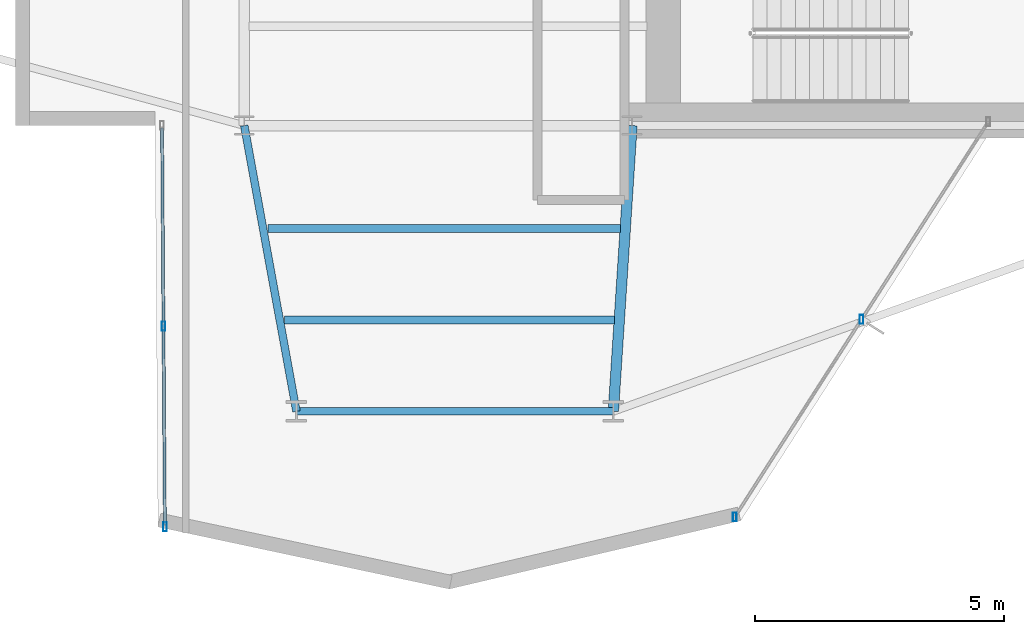
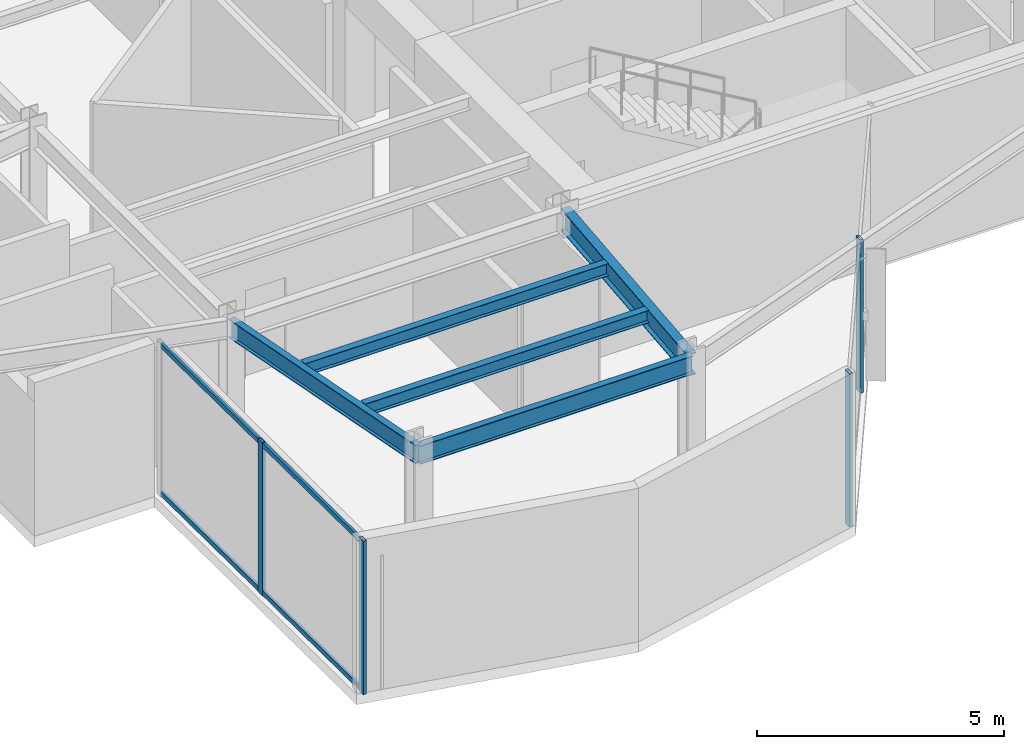
# One storey, part 6 of 23: 6 members, 5 beams, 2 elements without a shape of their own.
"""IFC4 building model written with IfcOpenShell, lengths in metres."""

from ifc_helpers import new_model, si_unit, direction, frame, origin, origin_2d, place, context, subcontext, project, spatial, hollow_rectangle, i_section, extrude, material, layer, layer_set, material_profile, profile_set, type_object, element, aggregate, save


model = new_model("IFC4")

# Units and contexts
model_context = context("Model", 3, precision=1e-05, world=origin(), true_north=direction((0.0, 1.0)))
body_context = subcontext(model_context, "Body", "Model", "MODEL_VIEW")
ifc_project = project(units=[si_unit("LENGTHUNIT", "METRE"), si_unit("AREAUNIT", "SQUARE_METRE"), si_unit("VOLUMEUNIT", "CUBIC_METRE"), si_unit("PLANEANGLEUNIT", "RADIAN"), si_unit("MASSUNIT", "GRAM", prefix="KILO")], contexts=[model_context])

# Site, building, storey
site_placement = place(None, origin())
site = spatial("IfcSite", under=ifc_project, at=site_placement, CompositionType="ELEMENT")
building_placement = place(site_placement, origin())
building = spatial("IfcBuilding", under=site, at=building_placement, Name="Veymaron Broadcast Tower", CompositionType="ELEMENT")
storey_placement = place(building_placement, frame((0.0, 0.0, 195.89990234375)))
storey = spatial("IfcBuildingStorey", under=building, at=storey_placement, Name="L45", CompositionType="ELEMENT", Elevation=195.89990234375)

# Beams
ifc_material_1 = material(Name="Structural steel ASTM A992 Gr 50", Category="steel")
ifc_material_profile_1 = material_profile(ifc_material_1, i_section(OverallWidth=0.2099609375, OverallDepth=0.537109375, WebThickness=0.010986328125, FlangeThickness=0.017333984375, at=origin_2d()), Name="W530X101")
ifc_profile_set_1 = profile_set([ifc_material_profile_1], Name="Structural steel ASTM A992 Gr 50")
beam_type_1 = type_object("IfcBeamType", Name="BM-FG3", PredefinedType="BEAM", material=ifc_profile_set_1)
beam_1_placement = place(storey_placement, frame((39.0, 16.0, 3.521484375), z_axis=(-0.065079137346, -0.997880105966, 0.0), x_axis=(0.997880105966, -0.065079137346, 0.0)))
element("IfcBeam", 1, at=beam_1_placement, inside=storey, type_object=beam_type_1, Name="L45 primary structural floor girder", PredefinedType="BEAM", context=body_context, shape_type="SweptSolid", body=[
    extrude(i_section(OverallWidth=0.2099609375, OverallDepth=0.537109375, WebThickness=0.010986328125, FlangeThickness=0.017333984375, at=origin_2d()), origin(), (0.0, 0.0, 1.0), 5.76220703125),
])
ifc_material_profile_2 = material_profile(ifc_material_1, i_section(OverallWidth=0.1650390625, OverallDepth=0.31005859375, WebThickness=0.005859375, FlangeThickness=0.009765625, at=origin_2d()), Name="W310X39")
ifc_profile_set_2 = profile_set([ifc_material_profile_2], Name="Structural steel ASTM A992 Gr 50")
beam_type_2 = type_object("IfcBeamType", Name="BM-JS3", PredefinedType="JOIST", material=ifc_profile_set_2)
beam_2_placement = place(storey_placement, frame((31.677978515625, 13.929931640625, 3.635009765625), z_axis=(1.0, 0.0, 0.0), x_axis=(0.0, 1.0, 0.0)))
element("IfcBeam", 2, at=beam_2_placement, inside=storey, type_object=beam_type_2, Name="L45 Arm-C secondary joist 1", PredefinedType="JOIST", context=body_context, shape_type="SweptSolid", body=[
    extrude(i_section(OverallWidth=0.1650390625, OverallDepth=0.31005859375, WebThickness=0.005859375, FlangeThickness=0.009765625, at=origin_2d()), origin(), (0.0, 0.0, 1.0), 7.0869140625),
])
beam_3_placement = place(storey_placement, frame((32.013916015625, 12.090087890625, 3.635009765625), z_axis=(1.0, 0.0, 0.0), x_axis=(0.0, 1.0, 0.0)))
element("IfcBeam", 3, at=beam_3_placement, inside=storey, type_object=beam_type_2, Name="L45 Arm-C secondary joist 2", PredefinedType="JOIST", context=body_context, shape_type="SweptSolid", body=[
    extrude(i_section(OverallWidth=0.1650390625, OverallDepth=0.31005859375, WebThickness=0.005859375, FlangeThickness=0.009765625, at=origin_2d()), origin(), (0.0, 0.0, 1.0), 6.631103515625),
])
ifc_material_profile_3 = material_profile(ifc_material_1, i_section(OverallWidth=0.154052734375, OverallDepth=0.458984375, WebThickness=0.009033203125, FlangeThickness=0.015380859375, at=origin_2d()), Name="W460X68")
ifc_profile_set_3 = profile_set([ifc_material_profile_3], Name="Structural steel ASTM A992 Gr 50")
beam_type_3 = type_object("IfcBeamType", Name="BM-SP2", PredefinedType="SPANDREL", material=ifc_profile_set_3)
beam_4_placement = place(storey_placement, frame((31.199951171875, 16.0, 3.560546875), z_axis=(0.179646239371, -0.983731278693, 0.0), x_axis=(0.983731278693, 0.179646239371, 0.0)))
element("IfcBeam", 4, at=beam_4_placement, inside=storey, type_object=beam_type_3, Name="L45 primary structural floor girder", PredefinedType="SPANDREL", context=body_context, shape_type="SweptSolid", body=[
    extrude(i_section(OverallWidth=0.154052734375, OverallDepth=0.458984375, WebThickness=0.009033203125, FlangeThickness=0.015380859375, at=origin_2d()), origin(), (0.0, 0.0, 1.0), 5.844970703125),
])
beam_5_placement = place(storey_placement, frame((32.25, 10.25, 3.560546875), z_axis=(1.0, 0.0, 0.0), x_axis=(0.0, 1.0, 0.0)))
element("IfcBeam", 5, at=beam_5_placement, inside=storey, type_object=beam_type_3, Name="L45 primary structural floor girder", PredefinedType="SPANDREL", context=body_context, shape_type="SweptSolid", body=[
    extrude(i_section(OverallWidth=0.154052734375, OverallDepth=0.458984375, WebThickness=0.009033203125, FlangeThickness=0.015380859375, at=origin_2d()), origin(), (0.0, 0.0, 1.0), 6.375),
])

# Curtain wall, members
ifc_material_2 = material(Name="Anodised aluminium AA 6063-T6 and laminated low-E dark glass", Category="aluminium")
ifc_layer = layer(ifc_material_2, 0.179931640625)
ifc_layer_set = layer_set([ifc_layer], Name="Anodised aluminium AA 6063-T6 and laminated low-E dark glass")
curtain_wall_type = type_object("IfcCurtainWallType", Name="CW-SYS-05", PredefinedType="NOTDEFINED", material=ifc_layer_set)
curtain_wall_1_placement = place(storey_placement, origin())
curtain_wall_1 = element("IfcCurtainWall", 6, at=curtain_wall_1_placement, inside=storey, type_object=curtain_wall_type, Name="L45 dark-glass curtain wall CW-L45-E17-1", PredefinedType="NOTDEFINED")
ifc_material_3 = material(Name="Anodised aluminium AA 6063-T6", Category="aluminium")
ifc_material_profile_4 = material_profile(ifc_material_3, hollow_rectangle(XDim=0.074951171875, YDim=0.179931640625, WallThickness=0.0048828125, at=origin_2d()), Name="AL180X75X5")
ifc_profile_set_4 = profile_set([ifc_material_profile_4], Name="Anodised aluminium AA 6063-T6")
member_type_1 = type_object("IfcMemberType", Name="CW-MUL-02", PredefinedType="MULLION", material=ifc_profile_set_4)
member_1_placement = place(storey_placement, frame((29.574462890625, 11.96337890625, 0.0), z_axis=(0.0, 0.0, 1.0), x_axis=(1.0, 0.0, 0.0)))
member_1 = element("IfcMember", 7, at=member_1_placement, type_object=member_type_1, Name="CW-L45-E17-1 mullion 1", PredefinedType="MULLION", context=body_context, shape_type="SweptSolid", body=[
    extrude(hollow_rectangle(XDim=0.074951171875, YDim=0.179931640625, WallThickness=0.0048828125, at=origin_2d()), origin(), (0.0, 0.0, 1.0), 3.7900390625),
])
member_2_placement = place(storey_placement, frame((29.603271484375, 7.926025390625, 0.0), z_axis=(0.0, 0.0, 1.0), x_axis=(1.0, 0.0, 0.0)))
member_2 = element("IfcMember", 8, at=member_2_placement, type_object=member_type_1, Name="CW-L45-E17-1 mullion 2", PredefinedType="MULLION", context=body_context, shape_type="SweptSolid", body=[
    extrude(hollow_rectangle(XDim=0.074951171875, YDim=0.179931640625, WallThickness=0.0048828125, at=origin_2d()), origin(), (0.0, 0.0, 1.0), 3.7900390625),
])

curtain_wall_2_placement = place(storey_placement, origin())
curtain_wall_2 = element("IfcCurtainWall", 9, at=curtain_wall_2_placement, inside=storey, type_object=curtain_wall_type, Name="L45 dark-glass curtain wall CW-L45-E20-1", PredefinedType="NOTDEFINED")
member_3_placement = place(storey_placement, frame((41.06884765625, 8.12548828125, 0.0), z_axis=(0.0, 0.0, 1.0), x_axis=(1.0, 0.0, 0.0)))
member_3 = element("IfcMember", 10, at=member_3_placement, type_object=member_type_1, Name="CW-L45-E20-1 mullion 0", PredefinedType="MULLION", context=body_context, shape_type="SweptSolid", body=[
    extrude(hollow_rectangle(XDim=0.074951171875, YDim=0.179931640625, WallThickness=0.0048828125, at=origin_2d()), origin(), (0.0, 0.0, 1.0), 3.7900390625),
])
member_4_placement = place(storey_placement, frame((43.618896484375, 12.1005859375, 0.0), z_axis=(0.0, 0.0, 1.0), x_axis=(1.0, 0.0, 0.0)))
member_4 = element("IfcMember", 11, at=member_4_placement, type_object=member_type_1, Name="CW-L45-E20-1 mullion 1", PredefinedType="MULLION", context=body_context, shape_type="SweptSolid", body=[
    extrude(hollow_rectangle(XDim=0.074951171875, YDim=0.179931640625, WallThickness=0.0048828125, at=origin_2d()), origin(), (0.0, 0.0, 1.0), 3.7900390625),
])
aggregate(curtain_wall_2, [member_3, member_4])

# Member
ifc_material_profile_5 = material_profile(ifc_material_3, hollow_rectangle(XDim=0.06005859375, YDim=0.1201171875, WallThickness=0.00390625, at=origin_2d()), Name="AL120X60X4")
ifc_profile_set_5 = profile_set([ifc_material_profile_5], Name="Anodised aluminium AA 6063-T6")
member_type_2 = type_object("IfcMemberType", Name="CW-TRN-02", PredefinedType="USERDEFINED", material=ifc_profile_set_5)
member_5_placement = place(storey_placement, frame((29.546142578125, 15.950927734375, 0.070068359375), z_axis=(0.007102224053, -0.999974778889, 0.0), x_axis=(0.999974778889, 0.007102224053, 0.0)))
member_5 = element("IfcMember", 12, at=member_5_placement, type_object=member_type_2, Name="CW-L45-E17-1 transom B", ObjectType="TRANSOM", PredefinedType="USERDEFINED", context=body_context, shape_type="SweptSolid", body=[
    extrude(hollow_rectangle(XDim=0.06005859375, YDim=0.1201171875, WallThickness=0.00390625, at=origin_2d()), origin(), (0.0, 0.0, 1.0), 7.97509765625),
])

member_6_placement = place(storey_placement, frame((29.546142578125, 15.950927734375, 3.72021484375), z_axis=(0.007102224053, -0.999974778889, 0.0), x_axis=(0.999974778889, 0.007102224053, 0.0)))
member_6 = element("IfcMember", 13, at=member_6_placement, type_object=member_type_2, Name="CW-L45-E17-1 transom T", ObjectType="TRANSOM", PredefinedType="USERDEFINED", context=body_context, shape_type="SweptSolid", body=[
    extrude(hollow_rectangle(XDim=0.06005859375, YDim=0.1201171875, WallThickness=0.00390625, at=origin_2d()), origin(), (0.0, 0.0, 1.0), 7.97509765625),
])

aggregate(curtain_wall_1, [member_1, member_2, member_5, member_6])

save(model, "model.ifc")
